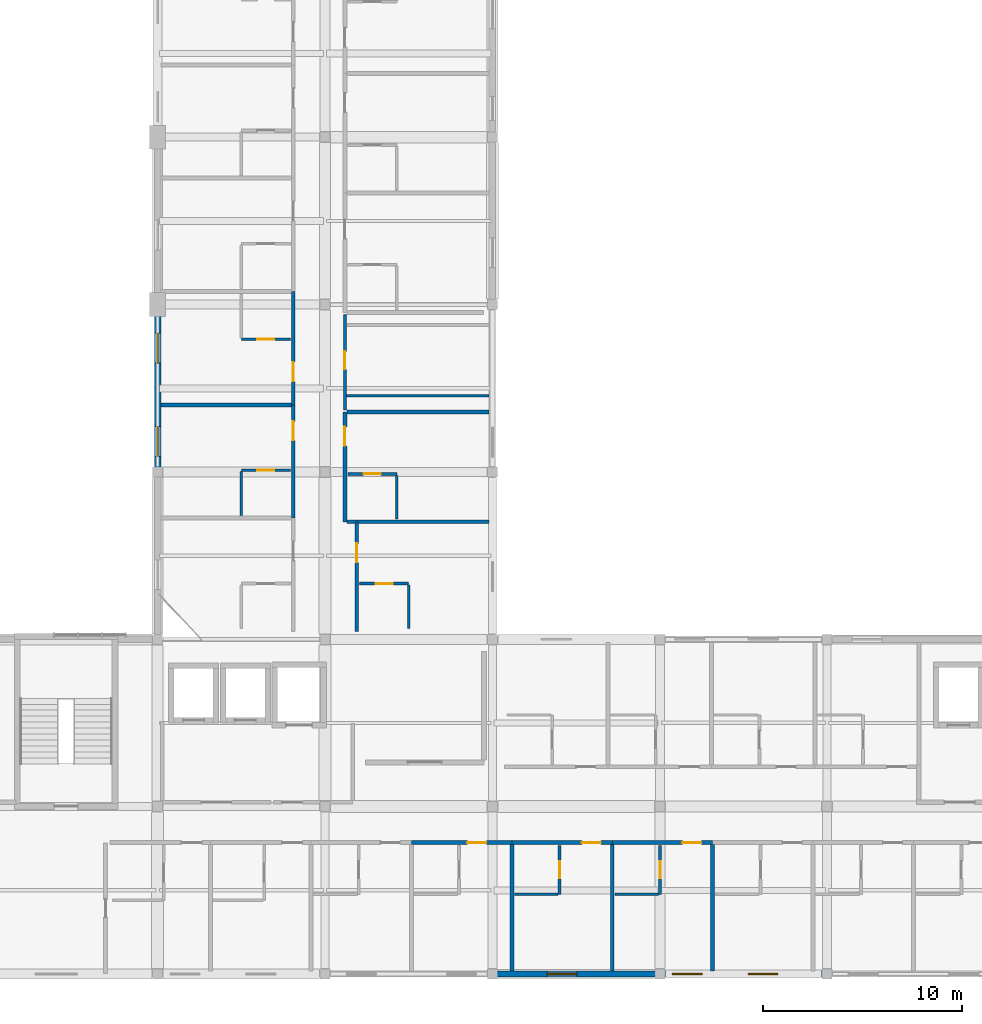
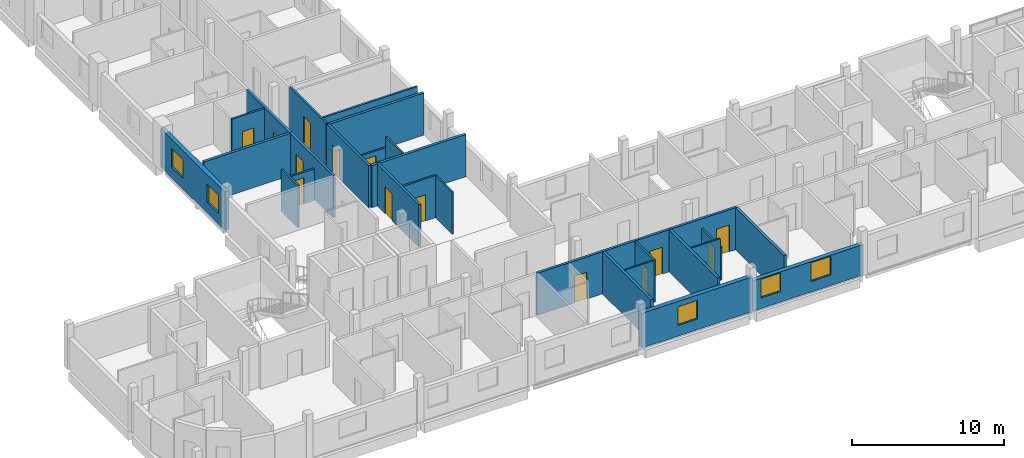
# One storey, part 11 of 20: 29 walls, 14 doors, 5 windows, 19 openings.
"""IFC4 building model written with IfcOpenShell, lengths in metres."""

from ifc_helpers import new_model, si_unit, derived_unit, direction, frame, frame_2d, origin, place, context, subcontext, project, spatial, rectangle, extrude, material, layer, layer_set, type_object, element, fill, save


model = new_model("IFC4")

# Units and contexts
model_context = context("Model", 3, precision=1e-05, world=origin(), true_north=direction((0.0, 1.0)))
body_context = subcontext(model_context, "Body", "Model", "MODEL_VIEW")
ifc_project = project(units=[si_unit("LENGTHUNIT", "METRE"), si_unit("AREAUNIT", "SQUARE_METRE"), si_unit("VOLUMEUNIT", "CUBIC_METRE"), si_unit("PLANEANGLEUNIT", "RADIAN"), si_unit("MASSUNIT", "GRAM", prefix="KILO"), derived_unit("THERMALTRANSMITTANCEUNIT", [(si_unit("POWERUNIT", "WATT"), 1), (si_unit("LENGTHUNIT", "METRE"), -2), (si_unit("THERMODYNAMICTEMPERATUREUNIT", "KELVIN"), -1)])], contexts=[model_context])

# Site, building, storey
site_placement = place(None, origin())
site = spatial("IfcSite", under=ifc_project, at=site_placement, CompositionType="ELEMENT")
building_placement = place(site_placement, origin())
building = spatial("IfcBuilding", under=site, at=building_placement, Name="Barrovel Congress Hotel", CompositionType="ELEMENT")
storey_placement = place(building_placement, frame((0.0, 0.0, 39.89990234375)))
storey = spatial("IfcBuildingStorey", under=building, at=storey_placement, Name="L10", CompositionType="ELEMENT", Elevation=39.89990234375)

# Wall, openings, windows
ifc_material_1 = material(Name="Fired Clay Brick Masonry", Category="masonry")
ifc_layer_1 = layer(ifc_material_1, 0.320068359375)
ifc_layer_set_1 = layer_set([ifc_layer_1], Name="Fired Clay Brick Masonry")
wall_type_1 = type_object("IfcWallType", Name="EW-BRK320", PredefinedType="STANDARD", material=ifc_layer_set_1)
wall_1_placement = place(storey_placement, frame((33.60009765625, 37.800048828125, 0.0), z_axis=(0.0, 0.0, 1.0), x_axis=(0.0, -1.0, 0.0)))
wall_1 = element("IfcWall", 1, at=wall_1_placement, inside=storey, type_object=wall_type_1, Name="EW:L10:HW-W", PredefinedType="STANDARD", context=body_context, shape_type="SweptSolid", body=[
    extrude(rectangle(XDim=8.400146484375, YDim=0.320068359375, at=frame_2d((4.2001953125, 0.0))), origin(), (0.0, 0.0, 1.0), 3.0751953125),
])
opening_1_placement = place(wall_1_placement, frame((6.121337890625, 0.0, 0.85009765625)))
opening_1 = element("IfcOpeningElement", 2, at=opening_1_placement, cuts=wall_1, Name="Opening WN-07", PredefinedType="OPENING", context=body_context, shape_type="SweptSolid", body=[
    extrude(rectangle(XDim=1.5, YDim=1.5, at=frame_2d((0.75, 0.75))), frame((0.0, 0.169921875, 0.0), z_axis=(0.0, -1.0, 0.0), x_axis=(1.0, 0.0, 0.0)), (0.0, 0.0, 1.0), 0.340087890625),
])
opening_2_placement = place(wall_1_placement, frame((1.435791015625, 0.0, 0.85009765625)))
opening_2 = element("IfcOpeningElement", 3, at=opening_2_placement, cuts=wall_1, Name="Opening WN-07", PredefinedType="OPENING", context=body_context, shape_type="SweptSolid", body=[
    extrude(rectangle(XDim=1.5, YDim=1.5, at=frame_2d((0.75, 0.75))), frame((0.0, 0.169921875, 0.0), z_axis=(0.0, -1.0, 0.0), x_axis=(1.0, 0.0, 0.0)), (0.0, 0.0, 1.0), 0.340087890625),
])
ifc_material_2 = material(Name="Double Low-E Insulated Glazing", Category="glass")
window_type = type_object("IfcWindowType", Name="WIN-WN-07", PartitioningType="SINGLE_PANEL", PredefinedType="WINDOW", material=ifc_material_2)
window_1_placement = place(opening_1_placement, origin())
window_1 = element("IfcWindow", 4, at=window_1_placement, inside=storey, type_object=window_type, Name="WIN:L10:U26", OverallHeight=1.5, OverallWidth=1.5, PartitioningType="SINGLE_PANEL", PredefinedType="WINDOW", context=body_context, shape_type="SweptSolid", body=[
    extrude(rectangle(XDim=1.5, YDim=1.5, at=frame_2d((0.75, 0.75))), frame((0.0, 0.030029296875, 0.0), z_axis=(0.0, -1.0, 0.0), x_axis=(1.0, 0.0, 0.0)), (0.0, 0.0, 1.0), 0.06005859375),
])
fill(opening_1, window_1)
window_2_placement = place(opening_2_placement, origin())
window_2 = element("IfcWindow", 5, at=window_2_placement, inside=storey, type_object=window_type, Name="WIN:L10:U27", OverallHeight=1.5, OverallWidth=1.5, PartitioningType="SINGLE_PANEL", PredefinedType="WINDOW", context=body_context, shape_type="SweptSolid", body=[
    extrude(rectangle(XDim=1.5, YDim=1.5, at=frame_2d((0.75, 0.75))), frame((0.0, 0.030029296875, 0.0), z_axis=(0.0, -1.0, 0.0), x_axis=(1.0, 0.0, 0.0)), (0.0, 0.0, 1.0), 0.06005859375),
])
fill(opening_2, window_2)

# Wall, opening, window
wall_2_placement = place(storey_placement, frame((50.39990234375, 4.199951171875, 0.0), z_axis=(0.0, 0.0, 1.0), x_axis=(1.0, 0.0, 0.0)))
wall_2 = element("IfcWall", 6, at=wall_2_placement, inside=storey, type_object=wall_type_1, Name="EW:L10:HS-S:P04", PredefinedType="STANDARD", context=body_context, shape_type="SweptSolid", body=[
    extrude(rectangle(XDim=8.400146484375, YDim=0.320068359375, at=frame_2d((4.2001953125, 0.0))), origin(), (0.0, 0.0, 1.0), 2.780029296875),
])
opening_3_placement = place(wall_2_placement, frame((2.742919921875, 0.0, 0.85009765625)))
opening_3 = element("IfcOpeningElement", 7, at=opening_3_placement, cuts=wall_2, Name="Opening WN-07", PredefinedType="OPENING", context=body_context, shape_type="SweptSolid", body=[
    extrude(rectangle(XDim=1.5, YDim=1.5, at=frame_2d((0.75, 0.75))), frame((0.0, 0.169921875, 0.0), z_axis=(0.0, -1.0, 0.0), x_axis=(1.0, 0.0, 0.0)), (0.0, 0.0, 1.0), 0.340087890625),
])
window_3_placement = place(opening_3_placement, origin())
window_3 = element("IfcWindow", 8, at=window_3_placement, inside=storey, type_object=window_type, Name="WIN:L10:U06", OverallHeight=1.5, OverallWidth=1.5, PartitioningType="SINGLE_PANEL", PredefinedType="WINDOW", context=body_context, shape_type="SweptSolid", body=[
    extrude(rectangle(XDim=1.5, YDim=1.5, at=frame_2d((0.75, 0.75))), frame((0.0, 0.030029296875, 0.0), z_axis=(0.0, -1.0, 0.0), x_axis=(1.0, 0.0, 0.0)), (0.0, 0.0, 1.0), 0.06005859375),
])
fill(opening_3, window_3)

# Wall, openings, windows
wall_3_placement = place(storey_placement, frame((58.800048828125, 4.199951171875, 0.0), z_axis=(0.0, 0.0, 1.0), x_axis=(1.0, 0.0, 0.0)))
wall_3 = element("IfcWall", 9, at=wall_3_placement, inside=storey, type_object=wall_type_1, Name="EW:L10:HS-S:P05", PredefinedType="STANDARD", context=body_context, shape_type="SweptSolid", body=[
    extrude(rectangle(XDim=8.39990234375, YDim=0.320068359375, at=frame_2d((4.199951171875, 0.0))), origin(), (0.0, 0.0, 1.0), 2.43017578125),
])
opening_4_placement = place(wall_3_placement, frame((0.6357421875, 0.0, 0.85009765625)))
opening_4 = element("IfcOpeningElement", 10, at=opening_4_placement, cuts=wall_3, Name="Opening WN-07", PredefinedType="OPENING", context=body_context, shape_type="SweptSolid", body=[
    extrude(rectangle(XDim=1.5, YDim=1.5, at=frame_2d((0.75, 0.75))), frame((0.0, 0.169921875, 0.0), z_axis=(0.0, -1.0, 0.0), x_axis=(1.0, 0.0, 0.0)), (0.0, 0.0, 1.0), 0.340087890625),
])
opening_5_placement = place(wall_3_placement, frame((4.428466796875, 0.0, 0.85009765625)))
opening_5 = element("IfcOpeningElement", 11, at=opening_5_placement, cuts=wall_3, Name="Opening WN-07", PredefinedType="OPENING", context=body_context, shape_type="SweptSolid", body=[
    extrude(rectangle(XDim=1.5, YDim=1.5, at=frame_2d((0.75, 0.75))), frame((0.0, 0.169921875, 0.0), z_axis=(0.0, -1.0, 0.0), x_axis=(1.0, 0.0, 0.0)), (0.0, 0.0, 1.0), 0.340087890625),
])
window_4_placement = place(opening_4_placement, origin())
window_4 = element("IfcWindow", 12, at=window_4_placement, inside=storey, type_object=window_type, Name="WIN:L10:U07", OverallHeight=1.5, OverallWidth=1.5, PartitioningType="SINGLE_PANEL", PredefinedType="WINDOW", context=body_context, shape_type="SweptSolid", body=[
    extrude(rectangle(XDim=1.5, YDim=1.5, at=frame_2d((0.75, 0.75))), frame((0.0, 0.030029296875, 0.0), z_axis=(0.0, -1.0, 0.0), x_axis=(1.0, 0.0, 0.0)), (0.0, 0.0, 1.0), 0.06005859375),
])
fill(opening_4, window_4)
window_5_placement = place(opening_5_placement, origin())
window_5 = element("IfcWindow", 13, at=window_5_placement, inside=storey, type_object=window_type, Name="WIN:L10:U08", OverallHeight=1.5, OverallWidth=1.5, PartitioningType="SINGLE_PANEL", PredefinedType="WINDOW", context=body_context, shape_type="SweptSolid", body=[
    extrude(rectangle(XDim=1.5, YDim=1.5, at=frame_2d((0.75, 0.75))), frame((0.0, 0.030029296875, 0.0), z_axis=(0.0, -1.0, 0.0), x_axis=(1.0, 0.0, 0.0)), (0.0, 0.0, 1.0), 0.06005859375),
])
fill(opening_5, window_5)

# Wall, opening, door
ifc_material_3 = material(Name="Gypsum Acoustic Stud", Category="gypsum")
ifc_layer_2 = layer(ifc_material_3, 0.179931640625)
ifc_layer_set_2 = layer_set([ifc_layer_2], Name="Gypsum Acoustic Stud")
wall_type_2 = type_object("IfcWallType", Name="PW-ACU-180", PredefinedType="PARTITIONING", material=ifc_layer_set_2)
wall_4_placement = place(storey_placement, frame((46.32861328125, 10.800048828125, 0.0), z_axis=(0.0, 0.0, 1.0), x_axis=(1.0, 0.0, 0.0)))
wall_4 = element("IfcWall", 14, at=wall_4_placement, inside=storey, type_object=wall_type_2, Name="PW:L10:U05:COR", PredefinedType="PARTITIONING", context=body_context, shape_type="SweptSolid", body=[
    extrude(rectangle(XDim=5.042724609375, YDim=0.179931640625, at=frame_2d((2.521484375, 0.0))), origin(), (0.0, 0.0, 1.0), 3.375),
])
opening_6_placement = place(wall_4_placement, frame((2.8134765625, 0.0, 0.0)))
opening_6 = element("IfcOpeningElement", 15, at=opening_6_placement, cuts=wall_4, Name="Opening ID-HTL", PredefinedType="OPENING", context=body_context, shape_type="SweptSolid", body=[
    extrude(rectangle(XDim=0.9599609375, YDim=2.14990234375, at=frame_2d((0.47998046875, 1.074951171875))), frame((0.0, 0.10009765625, 0.0), z_axis=(0.0, -1.0, 0.0), x_axis=(1.0, 0.0, 0.0)), (0.0, 0.0, 1.0), 0.199951171875),
])
ifc_material_4 = material(Name="Solid Oak Acoustic Timber Door", Category="wood")
door_type_1 = type_object("IfcDoorType", Name="IDR-ID-HTL", OperationType="NOTDEFINED", PredefinedType="DOOR", material=ifc_material_4)
door_1_placement = place(opening_6_placement, origin())
door_1 = element("IfcDoor", 16, at=door_1_placement, inside=storey, type_object=door_type_1, Name="DR:L10:U05:ENT", OperationType="SINGLE_SWING_RIGHT", OverallHeight=2.14990234375, OverallWidth=0.9599609375, PredefinedType="DOOR", context=body_context, shape_type="SweptSolid", body=[
    extrude(rectangle(XDim=0.9599609375, YDim=2.14990234375, at=frame_2d((0.47998046875, 1.074951171875))), frame((0.0, 0.02490234375, 0.0), z_axis=(0.0, -1.0, 0.0), x_axis=(1.0, 0.0, 0.0)), (0.0, 0.0, 1.0), 0.050048828125),
])
fill(opening_6, door_1)

wall_5_placement = place(storey_placement, frame((51.371337890625, 10.800048828125, 0.0), z_axis=(0.0, 0.0, 1.0), x_axis=(1.0, 0.0, 0.0)))
wall_5 = element("IfcWall", 17, at=wall_5_placement, inside=storey, type_object=wall_type_2, Name="PW:L10:U06:COR", PredefinedType="PARTITIONING", context=body_context, shape_type="SweptSolid", body=[
    extrude(rectangle(XDim=5.04296875, YDim=0.179931640625, at=frame_2d((2.521484375, 0.0))), origin(), (0.0, 0.0, 1.0), 3.375),
])
opening_7_placement = place(wall_5_placement, frame((3.513671875, 0.0, 0.0)))
opening_7 = element("IfcOpeningElement", 18, at=opening_7_placement, cuts=wall_5, Name="Opening ID-HTL", PredefinedType="OPENING", context=body_context, shape_type="SweptSolid", body=[
    extrude(rectangle(XDim=0.9599609375, YDim=2.14990234375, at=frame_2d((0.47998046875, 1.074951171875))), frame((0.0, 0.10009765625, 0.0), z_axis=(0.0, -1.0, 0.0), x_axis=(1.0, 0.0, 0.0)), (0.0, 0.0, 1.0), 0.199951171875),
])
door_2_placement = place(opening_7_placement, origin())
door_2 = element("IfcDoor", 19, at=door_2_placement, inside=storey, type_object=door_type_1, Name="DR:L10:U06:ENT", OperationType="SINGLE_SWING_RIGHT", OverallHeight=2.14990234375, OverallWidth=0.9599609375, PredefinedType="DOOR", context=body_context, shape_type="SweptSolid", body=[
    extrude(rectangle(XDim=0.9599609375, YDim=2.14990234375, at=frame_2d((0.47998046875, 1.074951171875))), frame((0.0, 0.02490234375, 0.0), z_axis=(0.0, -1.0, 0.0), x_axis=(1.0, 0.0, 0.0)), (0.0, 0.0, 1.0), 0.050048828125),
])
fill(opening_7, door_2)

wall_6_placement = place(storey_placement, frame((56.414306640625, 10.800048828125, 0.0), z_axis=(0.0, 0.0, 1.0), x_axis=(1.0, 0.0, 0.0)))
wall_6 = element("IfcWall", 20, at=wall_6_placement, inside=storey, type_object=wall_type_2, Name="PW:L10:U07:COR", PredefinedType="PARTITIONING", context=body_context, shape_type="SweptSolid", body=[
    extrude(rectangle(XDim=5.042724609375, YDim=0.179931640625, at=frame_2d((2.521484375, 0.0))), origin(), (0.0, 0.0, 1.0), 3.375),
])
opening_8_placement = place(wall_6_placement, frame((3.513427734375, 0.0, 0.0)))
opening_8 = element("IfcOpeningElement", 21, at=opening_8_placement, cuts=wall_6, Name="Opening ID-HTL", PredefinedType="OPENING", context=body_context, shape_type="SweptSolid", body=[
    extrude(rectangle(XDim=0.9599609375, YDim=2.14990234375, at=frame_2d((0.47998046875, 1.074951171875))), frame((0.0, 0.10009765625, 0.0), z_axis=(0.0, -1.0, 0.0), x_axis=(1.0, 0.0, 0.0)), (0.0, 0.0, 1.0), 0.199951171875),
])
door_3_placement = place(opening_8_placement, origin())
door_3 = element("IfcDoor", 22, at=door_3_placement, inside=storey, type_object=door_type_1, Name="DR:L10:U07:ENT", OperationType="SINGLE_SWING_RIGHT", OverallHeight=2.14990234375, OverallWidth=0.9599609375, PredefinedType="DOOR", context=body_context, shape_type="SweptSolid", body=[
    extrude(rectangle(XDim=0.9599609375, YDim=2.14990234375, at=frame_2d((0.47998046875, 1.074951171875))), frame((0.0, 0.02490234375, 0.0), z_axis=(0.0, -1.0, 0.0), x_axis=(1.0, 0.0, 0.0)), (0.0, 0.0, 1.0), 0.050048828125),
])
fill(opening_8, door_3)

wall_7_placement = place(storey_placement, frame((40.39990234375, 27.085693359375, 0.0), z_axis=(0.0, 0.0, 1.0), x_axis=(0.0, 1.0, 0.0)))
wall_7 = element("IfcWall", 23, at=wall_7_placement, inside=storey, type_object=wall_type_2, Name="PW:L10:U26:COR", PredefinedType="PARTITIONING", context=body_context, shape_type="SweptSolid", body=[
    extrude(rectangle(XDim=5.685791015625, YDim=0.179931640625, at=frame_2d((2.8427734375, 0.0))), origin(), (0.0, 0.0, 1.0), 3.375),
])
opening_9_placement = place(wall_7_placement, frame((3.89794921875, 0.0, 0.0)))
opening_9 = element("IfcOpeningElement", 24, at=opening_9_placement, cuts=wall_7, Name="Opening ID-HTL", PredefinedType="OPENING", context=body_context, shape_type="SweptSolid", body=[
    extrude(rectangle(XDim=0.9599609375, YDim=2.14990234375, at=frame_2d((0.47998046875, 1.074951171875))), frame((0.0, 0.10009765625, 0.0), z_axis=(0.0, -1.0, 0.0), x_axis=(1.0, 0.0, 0.0)), (0.0, 0.0, 1.0), 0.199951171875),
])
door_4_placement = place(opening_9_placement, origin())
door_4 = element("IfcDoor", 25, at=door_4_placement, inside=storey, type_object=door_type_1, Name="DR:L10:U26:ENT", OperationType="SINGLE_SWING_RIGHT", OverallHeight=2.14990234375, OverallWidth=0.9599609375, PredefinedType="DOOR", context=body_context, shape_type="SweptSolid", body=[
    extrude(rectangle(XDim=0.9599609375, YDim=2.14990234375, at=frame_2d((0.47998046875, 1.074951171875))), frame((0.0, 0.02490234375, 0.0), z_axis=(0.0, -1.0, 0.0), x_axis=(1.0, 0.0, 0.0)), (0.0, 0.0, 1.0), 0.050048828125),
])
fill(opening_9, door_4)

wall_8_placement = place(storey_placement, frame((40.39990234375, 32.771484375, 0.0), z_axis=(0.0, 0.0, 1.0), x_axis=(0.0, 1.0, 0.0)))
wall_8 = element("IfcWall", 26, at=wall_8_placement, inside=storey, type_object=wall_type_2, Name="PW:L10:U27:COR", PredefinedType="PARTITIONING", context=body_context, shape_type="SweptSolid", body=[
    extrude(rectangle(XDim=5.685546875, YDim=0.179931640625, at=frame_2d((2.8427734375, 0.0))), origin(), (0.0, 0.0, 1.0), 3.375),
])
opening_10_placement = place(wall_8_placement, frame((1.177734375, 0.0, 0.0)))
opening_10 = element("IfcOpeningElement", 27, at=opening_10_placement, cuts=wall_8, Name="Opening ID-HTL", PredefinedType="OPENING", context=body_context, shape_type="SweptSolid", body=[
    extrude(rectangle(XDim=0.9599609375, YDim=2.14990234375, at=frame_2d((0.47998046875, 1.074951171875))), frame((0.0, 0.10009765625, 0.0), z_axis=(0.0, -1.0, 0.0), x_axis=(1.0, 0.0, 0.0)), (0.0, 0.0, 1.0), 0.199951171875),
])
door_5_placement = place(opening_10_placement, origin())
door_5 = element("IfcDoor", 28, at=door_5_placement, inside=storey, type_object=door_type_1, Name="DR:L10:U27:ENT", OperationType="SINGLE_SWING_RIGHT", OverallHeight=2.14990234375, OverallWidth=0.9599609375, PredefinedType="DOOR", context=body_context, shape_type="SweptSolid", body=[
    extrude(rectangle(XDim=0.9599609375, YDim=2.14990234375, at=frame_2d((0.47998046875, 1.074951171875))), frame((0.0, 0.02490234375, 0.0), z_axis=(0.0, -1.0, 0.0), x_axis=(1.0, 0.0, 0.0)), (0.0, 0.0, 1.0), 0.050048828125),
])
fill(opening_10, door_5)

wall_9_placement = place(storey_placement, frame((43.60009765625, 21.39990234375, 0.0), z_axis=(0.0, 0.0, 1.0), x_axis=(0.0, 1.0, 0.0)))
wall_9 = element("IfcWall", 29, at=wall_9_placement, inside=storey, type_object=wall_type_2, Name="PW:L10:U32:COR", PredefinedType="PARTITIONING", context=body_context, shape_type="SweptSolid", body=[
    extrude(rectangle(XDim=5.5, YDim=0.179931640625, at=frame_2d((2.75, 0.0))), origin(), (0.0, 0.0, 1.0), 3.375),
])
opening_11_placement = place(wall_9_placement, frame((3.455078125, 0.0, 0.0)))
opening_11 = element("IfcOpeningElement", 30, at=opening_11_placement, cuts=wall_9, Name="Opening ID-HTL", PredefinedType="OPENING", context=body_context, shape_type="SweptSolid", body=[
    extrude(rectangle(XDim=0.9599609375, YDim=2.14990234375, at=frame_2d((0.47998046875, 1.074951171875))), frame((0.0, 0.10009765625, 0.0), z_axis=(0.0, -1.0, 0.0), x_axis=(1.0, 0.0, 0.0)), (0.0, 0.0, 1.0), 0.199951171875),
])
door_6_placement = place(opening_11_placement, origin())
door_6 = element("IfcDoor", 31, at=door_6_placement, inside=storey, type_object=door_type_1, Name="DR:L10:U32:ENT", OperationType="SINGLE_SWING_RIGHT", OverallHeight=2.14990234375, OverallWidth=0.9599609375, PredefinedType="DOOR", context=body_context, shape_type="SweptSolid", body=[
    extrude(rectangle(XDim=0.9599609375, YDim=2.14990234375, at=frame_2d((0.47998046875, 1.074951171875))), frame((0.0, 0.02490234375, 0.0), z_axis=(0.0, -1.0, 0.0), x_axis=(1.0, 0.0, 0.0)), (0.0, 0.0, 1.0), 0.050048828125),
])
fill(opening_11, door_6)

wall_10_placement = place(storey_placement, frame((43.0, 26.89990234375, 0.0), z_axis=(0.0, 0.0, 1.0), x_axis=(0.0, 1.0, 0.0)))
wall_10 = element("IfcWall", 32, at=wall_10_placement, inside=storey, type_object=wall_type_2, Name="PW:L10:U33:COR", PredefinedType="PARTITIONING", context=body_context, shape_type="SweptSolid", body=[
    extrude(rectangle(XDim=5.5, YDim=0.179931640625, at=frame_2d((2.75, 0.0))), origin(), (0.0, 0.0, 1.0), 3.375),
])
opening_12_placement = place(wall_10_placement, frame((3.804931640625, 0.0, 0.0)))
opening_12 = element("IfcOpeningElement", 33, at=opening_12_placement, cuts=wall_10, Name="Opening ID-HTL", PredefinedType="OPENING", context=body_context, shape_type="SweptSolid", body=[
    extrude(rectangle(XDim=0.9599609375, YDim=2.14990234375, at=frame_2d((0.47998046875, 1.074951171875))), frame((0.0, 0.10009765625, 0.0), z_axis=(0.0, -1.0, 0.0), x_axis=(1.0, 0.0, 0.0)), (0.0, 0.0, 1.0), 0.199951171875),
])
door_7_placement = place(opening_12_placement, origin())
door_7 = element("IfcDoor", 34, at=door_7_placement, inside=storey, type_object=door_type_1, Name="DR:L10:U33:ENT", OperationType="SINGLE_SWING_RIGHT", OverallHeight=2.14990234375, OverallWidth=0.9599609375, PredefinedType="DOOR", context=body_context, shape_type="SweptSolid", body=[
    extrude(rectangle(XDim=0.9599609375, YDim=2.14990234375, at=frame_2d((0.47998046875, 1.074951171875))), frame((0.0, 0.02490234375, 0.0), z_axis=(0.0, -1.0, 0.0), x_axis=(1.0, 0.0, 0.0)), (0.0, 0.0, 1.0), 0.050048828125),
])
fill(opening_12, door_7)

# Walls
ifc_layer_3 = layer(ifc_material_3, 0.1201171875)
ifc_layer_set_3 = layer_set([ifc_layer_3], Name="Gypsum Acoustic Stud")
wall_type_3 = type_object("IfcWallType", Name="PW-INT-120", PredefinedType="PARTITIONING", material=ifc_layer_set_3)
wall_11_placement = place(storey_placement, frame((51.511474609375, 8.199951171875, 0.0), z_axis=(0.0, 0.0, 1.0), x_axis=(1.0, 0.0, 0.0)))
element("IfcWall", 35, at=wall_11_placement, inside=storey, type_object=wall_type_3, Name="PW:L10:U06:B2", PredefinedType="PARTITIONING", context=body_context, shape_type="SweptSolid", body=[
    extrude(rectangle(XDim=2.18994140625, YDim=0.1201171875, at=frame_2d((1.094970703125, 0.0))), origin(), (0.0, 0.0, 1.0), 3.375),
])
for number, where, z_axis, x_axis, name in (
    (36, (56.55419921875, 8.199951171875, 0.0), (0.0, 0.0, 1.0), (1.0, 0.0, 0.0), "PW:L10:U07:B2"),
    (37, (37.800048828125, 27.2255859375, 0.0), (0.0, 0.0, 1.0), (0.0, 1.0, 0.0), "PW:L10:U26:B2"),
):
    element("IfcWall", number, at=place(storey_placement, frame(where, z_axis=z_axis, x_axis=x_axis)), inside=storey, type_object=wall_type_3, Name=name, PredefinedType="PARTITIONING", context=body_context, shape_type="SweptSolid", body=[
        extrude(rectangle(XDim=2.190185546875, YDim=0.1201171875, at=frame_2d((1.09521484375, 0.0))), origin(), (0.0, 0.0, 1.0), 3.375),
    ])
for number, where, z_axis, x_axis, name in (
    (38, (46.199951171875, 21.5400390625, 0.0), (0.0, 0.0, 1.0), (0.0, 1.0, 0.0), "PW:L10:U32:B2"),
    (39, (45.60009765625, 27.0400390625, 0.0), (0.0, 0.0, 1.0), (0.0, 1.0, 0.0), "PW:L10:U33:B2"),
):
    element("IfcWall", number, at=place(storey_placement, frame(where, z_axis=z_axis, x_axis=x_axis)), inside=storey, type_object=wall_type_3, Name=name, PredefinedType="PARTITIONING", context=body_context, shape_type="SweptSolid", body=[
        extrude(rectangle(XDim=2.18994140625, YDim=0.1201171875, at=frame_2d((1.094970703125, 0.0))), origin(), (0.0, 0.0, 1.0), 3.375),
    ])
ifc_layer_4 = layer(ifc_material_1, 0.199951171875)
ifc_layer_set_4 = layer_set([ifc_layer_4], Name="Fired Clay Brick Masonry")
wall_type_4 = type_object("IfcWallType", Name="PW-MAS-200", PredefinedType="PARTITIONING", material=ifc_layer_set_4)
for number, where, z_axis, x_axis, name in (
    (40, (51.371337890625, 4.360107421875, 0.0), (0.0, 0.0, 1.0), (0.0, 1.0, 0.0), "PW:L10:U05:DEM"),
    (41, (56.414306640625, 4.360107421875, 0.0), (0.0, 0.0, 1.0), (0.0, 1.0, 0.0), "PW:L10:U06:DEM"),
    (42, (61.45703125, 4.360107421875, 0.0), (0.0, 0.0, 1.0), (0.0, 1.0, 0.0), "PW:L10:U07:DEM"),
):
    element("IfcWall", number, at=place(storey_placement, frame(where, z_axis=z_axis, x_axis=x_axis)), inside=storey, type_object=wall_type_4, Name=name, PredefinedType="PARTITIONING", context=body_context, shape_type="SweptSolid", body=[
        extrude(rectangle(XDim=6.349853515625, YDim=0.199951171875, at=frame_2d((3.1748046875, 0.0))), origin(), (0.0, 0.0, 1.0), 3.375),
    ])
wall_12_placement = place(storey_placement, frame((33.760009765625, 32.771484375, 0.0), z_axis=(0.0, 0.0, 1.0), x_axis=(1.0, 0.0, 0.0)))
element("IfcWall", 43, at=wall_12_placement, inside=storey, type_object=wall_type_4, Name="PW:L10:U26:DEM", PredefinedType="PARTITIONING", context=body_context, shape_type="SweptSolid", body=[
    extrude(rectangle(XDim=6.550048828125, YDim=0.199951171875, at=frame_2d((3.27490234375, 0.0))), origin(), (0.0, 0.0, 1.0), 3.375),
])
for number, where, z_axis, x_axis, name in (
    (44, (43.090087890625, 26.89990234375, 0.0), (0.0, 0.0, 1.0), (1.0, 0.0, 0.0), "PW:L10:U32:DEM"),
    (45, (43.090087890625, 32.39990234375, 0.0), (0.0, 0.0, 1.0), (1.0, 0.0, 0.0), "PW:L10:U33:DEM"),
):
    element("IfcWall", number, at=place(storey_placement, frame(where, z_axis=z_axis, x_axis=x_axis)), inside=storey, type_object=wall_type_4, Name=name, PredefinedType="PARTITIONING", context=body_context, shape_type="SweptSolid", body=[
        extrude(rectangle(XDim=7.14990234375, YDim=0.199951171875, at=frame_2d((3.574951171875, 0.0))), origin(), (0.0, 0.0, 1.0), 3.375),
    ])

# Wall, opening, door
ifc_material_5 = material(Name="Gypsum Moisture Board", Category="gypsum")
ifc_layer_5 = layer(ifc_material_5, 0.139892578125)
ifc_layer_set_5 = layer_set([ifc_layer_5], Name="Gypsum Moisture Board")
wall_type_5 = type_object("IfcWallType", Name="PW-WET-140", PredefinedType="PARTITIONING", material=ifc_layer_set_5)
wall_13_placement = place(storey_placement, frame((53.771484375, 8.199951171875, 0.0), z_axis=(0.0, 0.0, 1.0), x_axis=(0.0, 1.0, 0.0)))
wall_13 = element("IfcWall", 46, at=wall_13_placement, inside=storey, type_object=wall_type_5, Name="PW:L10:U06:B1", PredefinedType="PARTITIONING", context=body_context, shape_type="SweptSolid", body=[
    extrude(rectangle(XDim=2.4599609375, YDim=0.139892578125, at=frame_2d((1.22998046875, 0.0))), origin(), (0.0, 0.0, 1.0), 3.375),
])
opening_13_placement = place(wall_13_placement, frame((0.800048828125, 0.0, 0.0)))
opening_13 = element("IfcOpeningElement", 47, at=opening_13_placement, cuts=wall_13, Name="Opening ID-ENS", PredefinedType="OPENING", context=body_context, shape_type="SweptSolid", body=[
    extrude(rectangle(XDim=0.860107421875, YDim=2.10009765625, at=frame_2d((0.43017578125, 1.050048828125))), frame((0.0, 0.080078125, 0.0), z_axis=(0.0, -1.0, 0.0), x_axis=(1.0, 0.0, 0.0)), (0.0, 0.0, 1.0), 0.159912109375),
])
ifc_material_6 = material(Name="Lacquered Timber Moisture Door", Category="wood")
door_type_2 = type_object("IfcDoorType", Name="IDR-ID-ENS", OperationType="NOTDEFINED", PredefinedType="DOOR", material=ifc_material_6)
door_8_placement = place(opening_13_placement, origin())
door_8 = element("IfcDoor", 48, at=door_8_placement, inside=storey, type_object=door_type_2, Name="DR:L10:U06:ENS", OperationType="SINGLE_SWING_LEFT", OverallHeight=2.10009765625, OverallWidth=0.860107421875, PredefinedType="DOOR", context=body_context, shape_type="SweptSolid", body=[
    extrude(rectangle(XDim=0.860107421875, YDim=2.10009765625, at=frame_2d((0.43017578125, 1.050048828125))), frame((0.0, 0.02490234375, 0.0), z_axis=(0.0, -1.0, 0.0), x_axis=(1.0, 0.0, 0.0)), (0.0, 0.0, 1.0), 0.050048828125),
])
fill(opening_13, door_8)

wall_14_placement = place(storey_placement, frame((58.814208984375, 8.199951171875, 0.0), z_axis=(0.0, 0.0, 1.0), x_axis=(0.0, 1.0, 0.0)))
wall_14 = element("IfcWall", 49, at=wall_14_placement, inside=storey, type_object=wall_type_5, Name="PW:L10:U07:B1", PredefinedType="PARTITIONING", context=body_context, shape_type="SweptSolid", body=[
    extrude(rectangle(XDim=2.4599609375, YDim=0.139892578125, at=frame_2d((1.22998046875, 0.0))), origin(), (0.0, 0.0, 1.0), 2.630126953125),
])
opening_14_placement = place(wall_14_placement, frame((0.800048828125, 0.0, 0.0)))
opening_14 = element("IfcOpeningElement", 50, at=opening_14_placement, cuts=wall_14, Name="Opening ID-ENS", PredefinedType="OPENING", context=body_context, shape_type="SweptSolid", body=[
    extrude(rectangle(XDim=0.860107421875, YDim=2.10009765625, at=frame_2d((0.43017578125, 1.050048828125))), frame((0.0, 0.080078125, 0.0), z_axis=(0.0, -1.0, 0.0), x_axis=(1.0, 0.0, 0.0)), (0.0, 0.0, 1.0), 0.159912109375),
])
door_9_placement = place(opening_14_placement, origin())
door_9 = element("IfcDoor", 51, at=door_9_placement, inside=storey, type_object=door_type_2, Name="DR:L10:U07:ENS", OperationType="SINGLE_SWING_LEFT", OverallHeight=2.10009765625, OverallWidth=0.860107421875, PredefinedType="DOOR", context=body_context, shape_type="SweptSolid", body=[
    extrude(rectangle(XDim=0.860107421875, YDim=2.10009765625, at=frame_2d((0.43017578125, 1.050048828125))), frame((0.0, 0.02490234375, 0.0), z_axis=(0.0, -1.0, 0.0), x_axis=(1.0, 0.0, 0.0)), (0.0, 0.0, 1.0), 0.050048828125),
])
fill(opening_14, door_9)

wall_15_placement = place(storey_placement, frame((37.800048828125, 29.485595703125, 0.0), z_axis=(0.0, 0.0, 1.0), x_axis=(1.0, 0.0, 0.0)))
wall_15 = element("IfcWall", 52, at=wall_15_placement, inside=storey, type_object=wall_type_5, Name="PW:L10:U26:B1", PredefinedType="PARTITIONING", context=body_context, shape_type="SweptSolid", body=[
    extrude(rectangle(XDim=2.4599609375, YDim=0.139892578125, at=frame_2d((1.22998046875, 0.0))), origin(), (0.0, 0.0, 1.0), 2.530029296875),
])
opening_15_placement = place(wall_15_placement, frame((0.800048828125, 0.0, 0.0)))
opening_15 = element("IfcOpeningElement", 53, at=opening_15_placement, cuts=wall_15, Name="Opening ID-ENS", PredefinedType="OPENING", context=body_context, shape_type="SweptSolid", body=[
    extrude(rectangle(XDim=0.860107421875, YDim=2.10009765625, at=frame_2d((0.43017578125, 1.050048828125))), frame((0.0, 0.080078125, 0.0), z_axis=(0.0, -1.0, 0.0), x_axis=(1.0, 0.0, 0.0)), (0.0, 0.0, 1.0), 0.159912109375),
])
door_10_placement = place(opening_15_placement, origin())
door_10 = element("IfcDoor", 54, at=door_10_placement, inside=storey, type_object=door_type_2, Name="DR:L10:U26:ENS", OperationType="SINGLE_SWING_LEFT", OverallHeight=2.10009765625, OverallWidth=0.860107421875, PredefinedType="DOOR", context=body_context, shape_type="SweptSolid", body=[
    extrude(rectangle(XDim=0.860107421875, YDim=2.10009765625, at=frame_2d((0.43017578125, 1.050048828125))), frame((0.0, 0.02490234375, 0.0), z_axis=(0.0, -1.0, 0.0), x_axis=(1.0, 0.0, 0.0)), (0.0, 0.0, 1.0), 0.050048828125),
])
fill(opening_15, door_10)

wall_16_placement = place(storey_placement, frame((37.800048828125, 36.05712890625, 0.0), z_axis=(0.0, 0.0, 1.0), x_axis=(1.0, 0.0, 0.0)))
wall_16 = element("IfcWall", 55, at=wall_16_placement, inside=storey, type_object=wall_type_5, Name="PW:L10:U27:B1", PredefinedType="PARTITIONING", context=body_context, shape_type="SweptSolid", body=[
    extrude(rectangle(XDim=2.4599609375, YDim=0.139892578125, at=frame_2d((1.22998046875, 0.0))), origin(), (0.0, 0.0, 1.0), 3.375),
])
opening_16_placement = place(wall_16_placement, frame((0.800048828125, 0.0, 0.0)))
opening_16 = element("IfcOpeningElement", 56, at=opening_16_placement, cuts=wall_16, Name="Opening ID-ENS", PredefinedType="OPENING", context=body_context, shape_type="SweptSolid", body=[
    extrude(rectangle(XDim=0.860107421875, YDim=2.10009765625, at=frame_2d((0.43017578125, 1.050048828125))), frame((0.0, 0.080078125, 0.0), z_axis=(0.0, -1.0, 0.0), x_axis=(1.0, 0.0, 0.0)), (0.0, 0.0, 1.0), 0.159912109375),
])
door_11_placement = place(opening_16_placement, origin())
door_11 = element("IfcDoor", 57, at=door_11_placement, inside=storey, type_object=door_type_2, Name="DR:L10:U27:ENS", OperationType="SINGLE_SWING_LEFT", OverallHeight=2.10009765625, OverallWidth=0.860107421875, PredefinedType="DOOR", context=body_context, shape_type="SweptSolid", body=[
    extrude(rectangle(XDim=0.860107421875, YDim=2.10009765625, at=frame_2d((0.43017578125, 1.050048828125))), frame((0.0, 0.02490234375, 0.0), z_axis=(0.0, -1.0, 0.0), x_axis=(1.0, 0.0, 0.0)), (0.0, 0.0, 1.0), 0.050048828125),
])
fill(opening_16, door_11)

wall_17_placement = place(storey_placement, frame((43.739990234375, 23.800048828125, 0.0), z_axis=(0.0, 0.0, 1.0), x_axis=(1.0, 0.0, 0.0)))
wall_17 = element("IfcWall", 58, at=wall_17_placement, inside=storey, type_object=wall_type_5, Name="PW:L10:U32:B1", PredefinedType="PARTITIONING", context=body_context, shape_type="SweptSolid", body=[
    extrude(rectangle(XDim=2.4599609375, YDim=0.139892578125, at=frame_2d((1.22998046875, 0.0))), origin(), (0.0, 0.0, 1.0), 3.375),
])
opening_17_placement = place(wall_17_placement, frame((0.800048828125, 0.0, 0.0)))
opening_17 = element("IfcOpeningElement", 59, at=opening_17_placement, cuts=wall_17, Name="Opening ID-ENS", PredefinedType="OPENING", context=body_context, shape_type="SweptSolid", body=[
    extrude(rectangle(XDim=0.860107421875, YDim=2.10009765625, at=frame_2d((0.43017578125, 1.050048828125))), frame((0.0, 0.080078125, 0.0), z_axis=(0.0, -1.0, 0.0), x_axis=(1.0, 0.0, 0.0)), (0.0, 0.0, 1.0), 0.159912109375),
])
door_12_placement = place(opening_17_placement, origin())
door_12 = element("IfcDoor", 60, at=door_12_placement, inside=storey, type_object=door_type_2, Name="DR:L10:U32:ENS", OperationType="SINGLE_SWING_LEFT", OverallHeight=2.10009765625, OverallWidth=0.860107421875, PredefinedType="DOOR", context=body_context, shape_type="SweptSolid", body=[
    extrude(rectangle(XDim=0.860107421875, YDim=2.10009765625, at=frame_2d((0.43017578125, 1.050048828125))), frame((0.0, 0.02490234375, 0.0), z_axis=(0.0, -1.0, 0.0), x_axis=(1.0, 0.0, 0.0)), (0.0, 0.0, 1.0), 0.050048828125),
])
fill(opening_17, door_12)

wall_18_placement = place(storey_placement, frame((43.139892578125, 29.300048828125, 0.0), z_axis=(0.0, 0.0, 1.0), x_axis=(1.0, 0.0, 0.0)))
wall_18 = element("IfcWall", 61, at=wall_18_placement, inside=storey, type_object=wall_type_5, Name="PW:L10:U33:B1", PredefinedType="PARTITIONING", context=body_context, shape_type="SweptSolid", body=[
    extrude(rectangle(XDim=2.460205078125, YDim=0.139892578125, at=frame_2d((1.22998046875, 0.0))), origin(), (0.0, 0.0, 1.0), 2.47998046875),
])
opening_18_placement = place(wall_18_placement, frame((0.800048828125, 0.0, 0.0)))
opening_18 = element("IfcOpeningElement", 62, at=opening_18_placement, cuts=wall_18, Name="Opening ID-ENS", PredefinedType="OPENING", context=body_context, shape_type="SweptSolid", body=[
    extrude(rectangle(XDim=0.860107421875, YDim=2.10009765625, at=frame_2d((0.43017578125, 1.050048828125))), frame((0.0, 0.080078125, 0.0), z_axis=(0.0, -1.0, 0.0), x_axis=(1.0, 0.0, 0.0)), (0.0, 0.0, 1.0), 0.159912109375),
])
door_13_placement = place(opening_18_placement, origin())
door_13 = element("IfcDoor", 63, at=door_13_placement, inside=storey, type_object=door_type_2, Name="DR:L10:U33:ENS", OperationType="SINGLE_SWING_LEFT", OverallHeight=2.10009765625, OverallWidth=0.860107421875, PredefinedType="DOOR", context=body_context, shape_type="SweptSolid", body=[
    extrude(rectangle(XDim=0.860107421875, YDim=2.10009765625, at=frame_2d((0.43017578125, 1.050048828125))), frame((0.0, 0.02490234375, 0.0), z_axis=(0.0, -1.0, 0.0), x_axis=(1.0, 0.0, 0.0)), (0.0, 0.0, 1.0), 0.050048828125),
])
fill(opening_18, door_13)

wall_19_placement = place(storey_placement, frame((43.0, 32.5, 0.0), z_axis=(0.0, 0.0, 1.0), x_axis=(0.0, 1.0, 0.0)))
wall_19 = element("IfcWall", 64, at=wall_19_placement, inside=storey, type_object=wall_type_5, Name="RW:SP:L10:WC-A:W", PredefinedType="PARTITIONING", context=body_context, shape_type="SweptSolid", body=[
    extrude(rectangle(XDim=4.800048828125, YDim=0.139892578125, at=frame_2d((2.39990234375, 0.0))), origin(), (0.0, 0.0, 1.0), 3.375),
])
opening_19_placement = place(wall_19_placement, frame((2.050048828125, 0.0, 0.0)))
opening_19 = element("IfcOpeningElement", 65, at=opening_19_placement, cuts=wall_19, Name="Opening ID-WC1", PredefinedType="OPENING", context=body_context, shape_type="SweptSolid", body=[
    extrude(rectangle(XDim=0.89990234375, YDim=2.1201171875, at=frame_2d((0.449951171875, 1.06005859375))), frame((0.0, 0.080078125, 0.0), z_axis=(0.0, -1.0, 0.0), x_axis=(1.0, 0.0, 0.0)), (0.0, 0.0, 1.0), 0.159912109375),
])
door_type_3 = type_object("IfcDoorType", Name="IDR-ID-WC1", OperationType="NOTDEFINED", PredefinedType="DOOR", material=ifc_material_6)
door_14_placement = place(opening_19_placement, origin())
door_14 = element("IfcDoor", 66, at=door_14_placement, inside=storey, type_object=door_type_3, Name="RD:SP:L10:WC-A", OperationType="SINGLE_SWING_LEFT", OverallHeight=2.1201171875, OverallWidth=0.89990234375, PredefinedType="DOOR", context=body_context, shape_type="SweptSolid", body=[
    extrude(rectangle(XDim=0.89990234375, YDim=2.1201171875, at=frame_2d((0.449951171875, 1.06005859375))), frame((0.0, 0.02490234375, 0.0), z_axis=(0.0, -1.0, 0.0), x_axis=(1.0, 0.0, 0.0)), (0.0, 0.0, 1.0), 0.050048828125),
])
fill(opening_19, door_14)

# Wall
wall_20_placement = place(storey_placement, frame((43.070068359375, 33.219970703125, 0.0), z_axis=(0.0, 0.0, 1.0), x_axis=(1.0, 0.0, 0.0)))
element("IfcWall", 67, at=wall_20_placement, inside=storey, type_object=wall_type_5, Name="RW:SP:L10:WC-A:S", PredefinedType="PARTITIONING", context=body_context, shape_type="SweptSolid", body=[
    extrude(rectangle(XDim=7.169921875, YDim=0.139892578125, at=frame_2d((3.5849609375, 0.0))), origin(), (0.0, 0.0, 1.0), 3.375),
])

save(model, "model.ifc")
